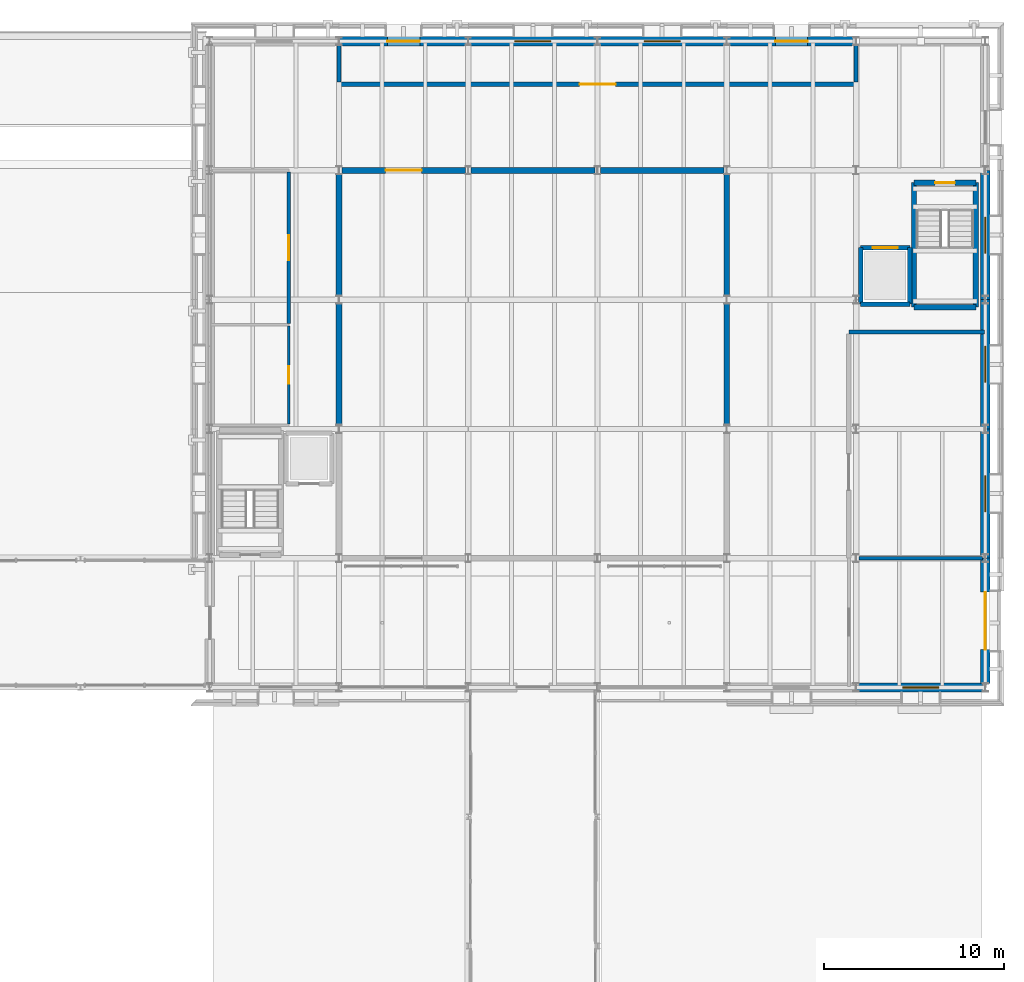
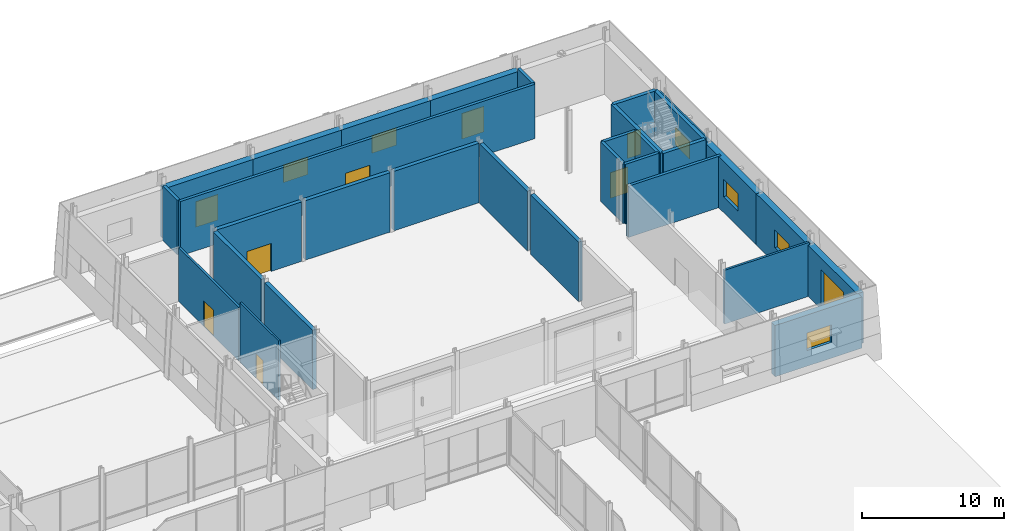
# One storey, part 81 of 120: 31 walls, 9 doors, 6 windows, 15 openings.
"""IFC4 building model written with IfcOpenShell, lengths in metres."""

from ifc_helpers import new_model, si_unit, direction, frame, frame_2d, origin, place, context, subcontext, project, spatial, rectangle, extrude, material, layer, layer_set, type_object, element, fill, save


model = new_model("IFC4")

# Units and contexts
model_context = context("Model", 3, precision=1e-05, world=origin(), true_north=direction((0.0, 1.0)))
body_context = subcontext(model_context, "Body", "Model", "MODEL_VIEW")
ifc_project = project(units=[si_unit("LENGTHUNIT", "METRE"), si_unit("AREAUNIT", "SQUARE_METRE"), si_unit("VOLUMEUNIT", "CUBIC_METRE"), si_unit("PLANEANGLEUNIT", "RADIAN"), si_unit("MASSUNIT", "GRAM", prefix="KILO")], contexts=[model_context])

# Site, building, storey
site_placement = place(None, origin())
site = spatial("IfcSite", under=ifc_project, at=site_placement, CompositionType="ELEMENT")
building_placement = place(site_placement, origin())
building = spatial("IfcBuilding", under=site, at=building_placement, Name="Narikvali Park Central Library", CompositionType="ELEMENT")
storey_placement = place(building_placement, origin())
storey = spatial("IfcBuildingStorey", under=building, at=storey_placement, Name="L00", CompositionType="ELEMENT", Elevation=0.0)

# Wall, opening, door
ifc_material_1 = material(Name="Double Masonry Acoustic Wall C30/37", Category="masonry")
ifc_layer_1 = layer(ifc_material_1, 0.320068359375, Name="Double Masonry Acoustic Wall C30/37")
ifc_layer_set_1 = layer_set([ifc_layer_1], Name="Double Masonry Acoustic Wall C30/37")
wall_type_1 = type_object("IfcWallType", Name="Auditorium Double Acoustic Wall 320", PredefinedType="SOLIDWALL", material=ifc_layer_set_1)
wall_1_placement = place(storey_placement, frame((129.75390625, 108.0, 0.0), z_axis=(0.0, 0.0, 1.0), x_axis=(1.0, 0.0, 0.0)))
wall_1 = element("IfcWall", 1, at=wall_1_placement, inside=storey, type_object=wall_type_1, Name="Main Auditorium Partition N", PredefinedType="SOLIDWALL", context=body_context, shape_type="SweptSolid", body=[
    extrude(rectangle(XDim=6.89208984375, YDim=0.320068359375, at=frame_2d((3.446044921875, 0.0))), origin(), (0.0, 0.0, 1.0), 5.10498046875),
])
opening_1_placement = place(wall_1_placement, frame((2.446044921875, 0.0, 0.0)))
opening_1 = element("IfcOpeningElement", 2, at=opening_1_placement, cuts=wall_1, Name="Opening ID-0066", PredefinedType="OPENING", context=body_context, shape_type="SweptSolid", body=[
    extrude(rectangle(XDim=2.0, YDim=2.39990234375, at=frame_2d((1.0, 1.199951171875))), frame((0.0, 0.171875, 0.0), z_axis=(0.0, -1.0, 0.0), x_axis=(1.0, 0.0, 0.0)), (0.0, 0.0, 1.0), 0.343994140625),
])
ifc_material_2 = material(Name="Acoustic Upholstered Solid Oak")
door_type_1 = type_object("IfcDoorType", Name="Auditorium Acoustic Double Lobby Door 2000x2400", OperationType="DOUBLE_DOOR_SINGLE_SWING", PredefinedType="DOOR", material=ifc_material_2)
door_1_placement = place(opening_1_placement, origin())
door_1 = element("IfcDoor", 3, at=door_1_placement, inside=storey, type_object=door_type_1, Name="Main Auditorium Door ID-0066", OperationType="DOUBLE_DOOR_SINGLE_SWING", OverallHeight=2.39990234375, OverallWidth=2.0, PredefinedType="DOOR", context=body_context, shape_type="SweptSolid", body=[
    extrude(rectangle(XDim=2.0, YDim=2.39990234375, at=frame_2d((1.0, 1.199951171875))), frame((0.0, 0.02490234375, 0.0), z_axis=(0.0, -1.0, 0.0), x_axis=(1.0, 0.0, 0.0)), (0.0, 0.0, 1.0), 0.050048828125),
])
fill(opening_1, door_1)

# Walls
for number, where, z_axis, x_axis, name in (
    (4, (136.9541015625, 108.0, 0.0), (0.0, 0.0, 1.0), (1.0, 0.0, 0.0), "Main Auditorium Partition N"),
    (5, (144.154052734375, 108.0, 0.0), (0.0, 0.0, 1.0), (1.0, 0.0, 0.0), "Main Auditorium Partition N"),
):
    element("IfcWall", number, at=place(storey_placement, frame(where, z_axis=z_axis, x_axis=x_axis)), inside=storey, type_object=wall_type_1, Name=name, PredefinedType="SOLIDWALL", context=body_context, shape_type="SweptSolid", body=[
        extrude(rectangle(XDim=6.891845703125, YDim=0.320068359375, at=frame_2d((3.44580078125, 0.0))), origin(), (0.0, 0.0, 1.0), 5.10498046875),
    ])
for number, where, z_axis, x_axis, name in (
    (6, (129.60009765625, 93.8291015625, 0.0), (0.0, 0.0, 1.0), (0.0, 1.0, 0.0), "Main Auditorium Partition W"),
    (7, (129.60009765625, 101.029052734375, 0.0), (0.0, 0.0, 1.0), (0.0, 1.0, 0.0), "Main Auditorium Partition W"),
    (8, (151.199951171875, 93.8291015625, 0.0), (0.0, 0.0, 1.0), (0.0, 1.0, 0.0), "Main Auditorium Partition E"),
    (9, (151.199951171875, 101.029052734375, 0.0), (0.0, 0.0, 1.0), (0.0, 1.0, 0.0), "Main Auditorium Partition E"),
):
    element("IfcWall", number, at=place(storey_placement, frame(where, z_axis=z_axis, x_axis=x_axis)), inside=storey, type_object=wall_type_1, Name=name, PredefinedType="SOLIDWALL", context=body_context, shape_type="SweptSolid", body=[
        extrude(rectangle(XDim=6.741943359375, YDim=0.320068359375, at=frame_2d((3.37109375, 0.0))), origin(), (0.0, 0.0, 1.0), 5.10498046875),
    ])

# Wall, opening, door
ifc_material_3 = material(Name="Autoclaved Concrete Blockwork C25/30", Category="masonry")
ifc_layer_2 = layer(ifc_material_3, 0.239990234375, Name="Autoclaved Concrete Blockwork C25/30")
ifc_layer_set_2 = layer_set([ifc_layer_2], Name="Autoclaved Concrete Blockwork C25/30")
wall_type_2 = type_object("IfcWallType", Name="Fire Compartment Concrete Block Wall 240", PredefinedType="SOLIDWALL", material=ifc_layer_set_2)
wall_2_placement = place(storey_placement, frame((129.60009765625, 112.800048828125, 0.0), z_axis=(0.0, 0.0, 1.0), x_axis=(1.0, 0.0, 0.0)))
wall_2 = element("IfcWall", 10, at=wall_2_placement, inside=storey, type_object=wall_type_2, Name="Speakers Green Room Alcove Partition S", PredefinedType="SOLIDWALL", context=body_context, shape_type="SweptSolid", body=[
    extrude(rectangle(XDim=28.7998046875, YDim=0.239990234375, at=frame_2d((14.39990234375, 0.0))), origin(), (0.0, 0.0, 1.0), 4.6650390625),
])
opening_2_placement = place(wall_2_placement, frame((13.39990234375, 0.0, 0.0)))
opening_2 = element("IfcOpeningElement", 11, at=opening_2_placement, cuts=wall_2, Name="Opening ID-0069", PredefinedType="OPENING", context=body_context, shape_type="SweptSolid", body=[
    extrude(rectangle(XDim=2.0, YDim=2.39990234375, at=frame_2d((1.0, 1.199951171875))), frame((0.0, 0.1318359375, 0.0), z_axis=(0.0, -1.0, 0.0), x_axis=(1.0, 0.0, 0.0)), (0.0, 0.0, 1.0), 0.263916015625),
])
door_2_placement = place(opening_2_placement, origin())
door_2 = element("IfcDoor", 12, at=door_2_placement, inside=storey, type_object=door_type_1, Name="Speakers Green Room Alcove Door ID-0069", OperationType="DOUBLE_DOOR_SINGLE_SWING", OverallHeight=2.39990234375, OverallWidth=2.0, PredefinedType="DOOR", context=body_context, shape_type="SweptSolid", body=[
    extrude(rectangle(XDim=2.0, YDim=2.39990234375, at=frame_2d((1.0, 1.199951171875))), frame((0.0, 0.02490234375, 0.0), z_axis=(0.0, -1.0, 0.0), x_axis=(1.0, 0.0, 0.0)), (0.0, 0.0, 1.0), 0.050048828125),
])
fill(opening_2, door_2)

# Walls
wall_3_placement = place(storey_placement, frame((158.0, 99.0, 0.0), z_axis=(0.0, 0.0, 1.0), x_axis=(1.0, 0.0, 0.0)))
element("IfcWall", 13, at=wall_3_placement, inside=storey, type_object=wall_type_2, Name="Auditorium Stage and Wing House Partition N", PredefinedType="SOLIDWALL", context=body_context, shape_type="SweptSolid", body=[
    extrude(rectangle(XDim=7.544921875, YDim=0.239990234375, at=frame_2d((3.7724609375, 0.0))), origin(), (0.0, 0.0, 1.0), 4.405029296875),
])
for number, where, z_axis, x_axis, name in (
    (14, (129.60009765625, 112.922119140625, 0.0), (0.0, 0.0, 1.0), (0.0, 1.0, 0.0), "Speakers Green Room Alcove Partition W"),
    (15, (158.39990234375, 112.922119140625, 0.0), (0.0, 0.0, 1.0), (0.0, 1.0, 0.0), "Speakers Green Room Alcove Partition E"),
):
    element("IfcWall", number, at=place(storey_placement, frame(where, z_axis=z_axis, x_axis=x_axis)), inside=storey, type_object=wall_type_2, Name=name, PredefinedType="SOLIDWALL", context=body_context, shape_type="SweptSolid", body=[
        extrude(rectangle(XDim=2.048828125, YDim=0.239990234375, at=frame_2d((1.0244140625, 0.0))), origin(), (0.0, 0.0, 1.0), 4.6650390625),
    ])

# Wall, opening, door
ifc_material_4 = material(Name="Moisture-Resistant Cement Board on Steel Studs", Category="steel")
ifc_layer_3 = layer(ifc_material_4, 0.14990234375, Name="Moisture-Resistant Cement Board on Steel Studs")
ifc_layer_set_3 = layer_set([ifc_layer_3], Name="Moisture-Resistant Cement Board on Steel Studs")
wall_type_3 = type_object("IfcWallType", Name="Moisture-Resistant WC Partition 150", PredefinedType="PARTITIONING", material=ifc_layer_set_3)
wall_4_placement = place(storey_placement, frame((126.800048828125, 93.876953125, 0.0), z_axis=(0.0, 0.0, 1.0), x_axis=(0.0, 1.0, 0.0)))
wall_4 = element("IfcWall", 16, at=wall_4_placement, inside=storey, type_object=wall_type_3, Name="Cloister Foyer Restrooms and Accessible WC L00 Partition E", PredefinedType="PARTITIONING", context=body_context, shape_type="SweptSolid", body=[
    extrude(rectangle(XDim=5.446044921875, YDim=0.14990234375, at=frame_2d((2.72314453125, 0.0))), origin(), (0.0, 0.0, 1.0), 5.10498046875),
])
opening_3_placement = place(wall_4_placement, frame((2.23291015625, 0.0, 0.0)))
opening_3 = element("IfcOpeningElement", 17, at=opening_3_placement, cuts=wall_4, Name="Opening ID-0009", PredefinedType="OPENING", context=body_context, shape_type="SweptSolid", body=[
    extrude(rectangle(XDim=0.97998046875, YDim=2.10009765625, at=frame_2d((0.489990234375, 1.050048828125))), frame((0.0, 0.0869140625, 0.0), z_axis=(0.0, -1.0, 0.0), x_axis=(1.0, 0.0, 0.0)), (0.0, 0.0, 1.0), 0.173828125),
])
ifc_material_5 = material(Name="Laminate Faced Hardwood Core", Category="wood")
door_type_2 = type_object("IfcDoorType", Name="Accessible WC Outward-Opening Door 980x2100", OperationType="SINGLE_SWING_RIGHT", PredefinedType="DOOR", material=ifc_material_5)
door_3_placement = place(opening_3_placement, frame((0.97998046875, 0.0, 0.0), z_axis=(0.0, 0.0, 1.0), x_axis=(-1.0, 0.0, 0.0)))
door_3 = element("IfcDoor", 18, at=door_3_placement, inside=storey, type_object=door_type_2, Name="Cloister Foyer Restrooms and Accessible WC L00 Door ID-0009", OperationType="SINGLE_SWING_LEFT", OverallHeight=2.10009765625, OverallWidth=0.97998046875, PredefinedType="DOOR", context=body_context, shape_type="SweptSolid", body=[
    extrude(rectangle(XDim=0.97998046875, YDim=2.10009765625, at=frame_2d((0.489990234375, 1.050048828125))), frame((0.0, 0.02490234375, 0.0), z_axis=(0.0, -1.0, 0.0), x_axis=(1.0, 0.0, 0.0)), (0.0, 0.0, 1.0), 0.050048828125),
])
fill(opening_3, door_3)

# Wall
ifc_material_6 = material(Name="Acoustic Gypsum on Steel Studs", Category="steel")
ifc_layer_4 = layer(ifc_material_6, 0.179931640625, Name="Acoustic Gypsum on Steel Studs")
ifc_layer_set_4 = layer_set([ifc_layer_4], Name="Acoustic Gypsum on Steel Studs")
wall_type_4 = type_object("IfcWallType", Name="Reading Room Acoustic Partition 180", PredefinedType="PARTITIONING", material=ifc_layer_set_4)
wall_5_placement = place(storey_placement, frame((158.553955078125, 86.39990234375, 0.0), z_axis=(0.0, 0.0, 1.0), x_axis=(1.0, 0.0, 0.0)))
element("IfcWall", 19, at=wall_5_placement, inside=storey, type_object=wall_type_4, Name="Book Delivery and Receiving Loading Bay Partition N", PredefinedType="PARTITIONING", context=body_context, shape_type="SweptSolid", body=[
    extrude(rectangle(XDim=6.89208984375, YDim=0.179931640625, at=frame_2d((3.446044921875, 0.0))), origin(), (0.0, 0.0, 1.0), 4.614990234375),
])

# Wall, opening, door
wall_6_placement = place(storey_placement, frame((126.800048828125, 99.47705078125, 0.0), z_axis=(0.0, 0.0, 1.0), x_axis=(0.0, 1.0, 0.0)))
wall_6 = element("IfcWall", 20, at=wall_6_placement, inside=storey, type_object=wall_type_4, Name="Auditorium Cloakroom and Box Office Partition E", PredefinedType="PARTITIONING", context=body_context, shape_type="SweptSolid", body=[
    extrude(rectangle(XDim=8.430908203125, YDim=0.179931640625, at=frame_2d((4.21533203125, 0.0))), origin(), (0.0, 0.0, 1.0), 4.614990234375),
])
opening_4_placement = place(wall_6_placement, frame((3.515380859375, 0.0, 0.0)))
opening_4 = element("IfcOpeningElement", 21, at=opening_4_placement, cuts=wall_6, Name="Opening ID-0067", PredefinedType="OPENING", context=body_context, shape_type="SweptSolid", body=[
    extrude(rectangle(XDim=1.39990234375, YDim=2.199951171875, at=frame_2d((0.699951171875, 1.10009765625))), frame((0.0, 0.10205078125, 0.0), z_axis=(0.0, -1.0, 0.0), x_axis=(1.0, 0.0, 0.0)), (0.0, 0.0, 1.0), 0.203857421875),
])
ifc_material_7 = material(Name="Caucasian Oak and Acoustic Glass", Category="glass")
door_type_3 = type_object("IfcDoorType", Name="Community Room Glazed Oak Door 1400x2200", OperationType="DOUBLE_DOOR_SINGLE_SWING", PredefinedType="DOOR", material=ifc_material_7)
door_4_placement = place(opening_4_placement, origin())
door_4 = element("IfcDoor", 22, at=door_4_placement, inside=storey, type_object=door_type_3, Name="Auditorium Cloakroom and Box Office Door ID-0067", OperationType="DOUBLE_DOOR_SINGLE_SWING", OverallHeight=2.199951171875, OverallWidth=1.39990234375, PredefinedType="DOOR", context=body_context, shape_type="SweptSolid", body=[
    extrude(rectangle(XDim=1.39990234375, YDim=2.199951171875, at=frame_2d((0.699951171875, 1.10009765625))), frame((0.0, 0.02490234375, 0.0), z_axis=(0.0, -1.0, 0.0), x_axis=(1.0, 0.0, 0.0)), (0.0, 0.0, 1.0), 0.050048828125),
])
fill(opening_4, door_4)

# Walls
ifc_material_8 = material(Name="Concrete C40/50", Category="concrete")
ifc_layer_5 = layer(ifc_material_8, 0.25, Name="Concrete C40/50")
ifc_layer_set_5 = layer_set([ifc_layer_5], Name="Concrete C40/50")
wall_type_5 = type_object("IfcWallType", Name="Reinforced Concrete Lift Shaft Wall 250", PredefinedType="SHEAR", material=ifc_layer_set_5)
wall_7_placement = place(storey_placement, frame((158.64990234375, 100.550048828125, 0.0), z_axis=(0.0, 0.0, 1.0), x_axis=(1.0, 0.0, 0.0)))
element("IfcWall", 23, at=wall_7_placement, inside=storey, type_object=wall_type_5, Name="GL-01 L00 Lift Shaft Wall S", PredefinedType="SHEAR", context=body_context, shape_type="SweptSolid", body=[
    extrude(rectangle(XDim=2.75, YDim=0.25, at=frame_2d((1.375, 0.0))), origin(), (0.0, 0.0, 1.0), 5.1201171875),
])
wall_8_placement = place(storey_placement, frame((161.39990234375, 100.550048828125, 0.0), z_axis=(0.0, 0.0, 1.0), x_axis=(0.0, 1.0, 0.0)))
element("IfcWall", 24, at=wall_8_placement, inside=storey, type_object=wall_type_5, Name="GL-01 L00 Lift Shaft Wall E", PredefinedType="SHEAR", context=body_context, shape_type="SweptSolid", body=[
    extrude(rectangle(XDim=3.14990234375, YDim=0.25, at=frame_2d((1.574951171875, 0.0))), origin(), (0.0, 0.0, 1.0), 5.1201171875),
])

# Wall, opening, door
wall_9_placement = place(storey_placement, frame((161.39990234375, 103.699951171875, 0.0), z_axis=(0.0, 0.0, 1.0), x_axis=(-1.0, 0.0, 0.0)))
wall_9 = element("IfcWall", 25, at=wall_9_placement, inside=storey, type_object=wall_type_5, Name="GL-01 L00 Lift Shaft Wall N", PredefinedType="SHEAR", context=body_context, shape_type="SweptSolid", body=[
    extrude(rectangle(XDim=2.75, YDim=0.25, at=frame_2d((1.375, 0.0))), origin(), (0.0, 0.0, 1.0), 5.1201171875),
])
opening_5_placement = place(wall_9_placement, frame((0.675048828125, 0.0, 0.0)))
opening_5 = element("IfcOpeningElement", 26, at=opening_5_placement, cuts=wall_9, Name="Opening LD-019", PredefinedType="OPENING", context=body_context, shape_type="SweptSolid", body=[
    extrude(rectangle(XDim=1.39990234375, YDim=2.199951171875, at=frame_2d((0.699951171875, 1.10009765625))), frame((0.0, 0.136962890625, 0.0), z_axis=(0.0, -1.0, 0.0), x_axis=(1.0, 0.0, 0.0)), (0.0, 0.0, 1.0), 0.27392578125),
])
ifc_material_9 = material(Name="Brushed Stainless Steel S355", Category="steel")
door_type_4 = type_object("IfcDoorType", Name="Book Goods Lift Sliding Landing Door 1400x2200", OperationType="DOUBLE_DOOR_SLIDING", PredefinedType="DOOR", material=ifc_material_9)
door_5_placement = place(opening_5_placement, origin())
door_5 = element("IfcDoor", 27, at=door_5_placement, inside=storey, type_object=door_type_4, Name="GL-01 L00 Lift Landing Sliding Door LD-019", OperationType="DOUBLE_DOOR_SLIDING", OverallHeight=2.199951171875, OverallWidth=1.39990234375, PredefinedType="DOOR", context=body_context, shape_type="SweptSolid", body=[
    extrude(rectangle(XDim=1.39990234375, YDim=2.199951171875, at=frame_2d((0.699951171875, 1.10009765625))), frame((0.0, 0.02490234375, 0.0), z_axis=(0.0, -1.0, 0.0), x_axis=(1.0, 0.0, 0.0)), (0.0, 0.0, 1.0), 0.050048828125),
])
fill(opening_5, door_5)

# Walls
wall_10_placement = place(storey_placement, frame((158.64990234375, 103.699951171875, 0.0), z_axis=(0.0, 0.0, 1.0), x_axis=(0.0, -1.0, 0.0)))
element("IfcWall", 28, at=wall_10_placement, inside=storey, type_object=wall_type_5, Name="GL-01 L00 Lift Shaft Wall W", PredefinedType="SHEAR", context=body_context, shape_type="SweptSolid", body=[
    extrude(rectangle(XDim=3.14990234375, YDim=0.25, at=frame_2d((1.574951171875, 0.0))), origin(), (0.0, 0.0, 1.0), 5.1201171875),
])
ifc_layer_6 = layer(ifc_material_8, 0.300048828125, Name="Concrete C40/50")
ifc_layer_set_6 = layer_set([ifc_layer_6], Name="Concrete C40/50")
wall_type_6 = type_object("IfcWallType", Name="Reinforced Concrete Shear Wall 300", PredefinedType="SHEAR", material=ifc_layer_set_6)
wall_11_placement = place(storey_placement, frame((161.6298828125, 100.3798828125, 0.0), z_axis=(0.0, 0.0, 1.0), x_axis=(1.0, 0.0, 0.0)))
element("IfcWall", 29, at=wall_11_placement, inside=storey, type_object=wall_type_6, Name="C3B L00 Stair Core Shear Wall S", PredefinedType="SHEAR", context=body_context, shape_type="SweptSolid", body=[
    extrude(rectangle(XDim=3.440185546875, YDim=0.300048828125, at=frame_2d((1.72021484375, 0.0))), origin(), (0.0, 0.0, 1.0), 5.1201171875),
])
wall_12_placement = place(storey_placement, frame((165.070068359375, 100.3798828125, 0.0), z_axis=(0.0, 0.0, 1.0), x_axis=(0.0, 1.0, 0.0)))
element("IfcWall", 30, at=wall_12_placement, inside=storey, type_object=wall_type_6, Name="C3B L00 Stair Core Shear Wall E", PredefinedType="SHEAR", context=body_context, shape_type="SweptSolid", body=[
    extrude(rectangle(XDim=6.940185546875, YDim=0.300048828125, at=frame_2d((3.47021484375, 0.0))), origin(), (0.0, 0.0, 1.0), 5.1201171875),
])

# Wall, opening, door
wall_13_placement = place(storey_placement, frame((165.070068359375, 107.320068359375, 0.0), z_axis=(0.0, 0.0, 1.0), x_axis=(-1.0, 0.0, 0.0)))
wall_13 = element("IfcWall", 31, at=wall_13_placement, inside=storey, type_object=wall_type_6, Name="C3B L00 Stair Core Shear Wall N", PredefinedType="SHEAR", context=body_context, shape_type="SweptSolid", body=[
    extrude(rectangle(XDim=3.440185546875, YDim=0.300048828125, at=frame_2d((1.72021484375, 0.0))), origin(), (0.0, 0.0, 1.0), 5.1201171875),
])
opening_6_placement = place(wall_13_placement, frame((1.169921875, 0.0, 0.0)))
opening_6 = element("IfcOpeningElement", 32, at=opening_6_placement, cuts=wall_13, Name="Opening SD-021", PredefinedType="OPENING", context=body_context, shape_type="SweptSolid", body=[
    extrude(rectangle(XDim=1.10009765625, YDim=2.14990234375, at=frame_2d((0.550048828125, 1.074951171875))), frame((0.0, 0.162109375, 0.0), z_axis=(0.0, -1.0, 0.0), x_axis=(1.0, 0.0, 0.0)), (0.0, 0.0, 1.0), 0.323974609375),
])
ifc_material_10 = material(Name="Powder-Coated Steel S275 Fire Leaf", Category="steel")
door_type_5 = type_object("IfcDoorType", Name="Stair Core Smoke-Control Fire Door 1100x2150", OperationType="SINGLE_SWING_LEFT", PredefinedType="DOOR", material=ifc_material_10)
door_6_placement = place(opening_6_placement, frame((1.10009765625, 0.0, 0.0), z_axis=(0.0, 0.0, 1.0), x_axis=(-1.0, 0.0, 0.0)))
door_6 = element("IfcDoor", 33, at=door_6_placement, inside=storey, type_object=door_type_5, Name="ST-06 L00 Stair Exit Door SD-021", OperationType="SINGLE_SWING_LEFT", OverallHeight=2.14990234375, OverallWidth=1.10009765625, PredefinedType="DOOR", context=body_context, shape_type="SweptSolid", body=[
    extrude(rectangle(XDim=1.10009765625, YDim=2.14990234375, at=frame_2d((0.550048828125, 1.074951171875))), frame((0.0, 0.02490234375, 0.0), z_axis=(0.0, -1.0, 0.0), x_axis=(1.0, 0.0, 0.0)), (0.0, 0.0, 1.0), 0.050048828125),
])
fill(opening_6, door_6)

# Wall
wall_14_placement = place(storey_placement, frame((161.6298828125, 107.320068359375, 0.0), z_axis=(0.0, 0.0, 1.0), x_axis=(0.0, -1.0, 0.0)))
element("IfcWall", 34, at=wall_14_placement, inside=storey, type_object=wall_type_6, Name="C3B L00 Stair Core Shear Wall W", PredefinedType="SHEAR", context=body_context, shape_type="SweptSolid", body=[
    extrude(rectangle(XDim=6.940185546875, YDim=0.300048828125, at=frame_2d((3.47021484375, 0.0))), origin(), (0.0, 0.0, 1.0), 5.1201171875),
])

# Wall, opening, window
ifc_material_11 = material(Name="White Rusticated Limestone over Concrete C35/45", Category="masonry")
ifc_layer_7 = layer(ifc_material_11, 0.52001953125, Name="White Rusticated Limestone over Concrete C35/45")
ifc_layer_set_7 = layer_set([ifc_layer_7], Name="White Rusticated Limestone over Concrete C35/45")
wall_type_7 = type_object("IfcWallType", Name="White Limestone Ashlar Plinth Wall 520", PredefinedType="SOLIDWALL", material=ifc_layer_set_7)
wall_15_placement = place(storey_placement, frame((158.39990234375, 79.199951171875, 0.0), z_axis=(0.0, 0.0, 1.0), x_axis=(1.0, 0.0, 0.0)))
wall_15 = element("IfcWall", 35, at=wall_15_placement, inside=storey, type_object=wall_type_7, Name="V3 L00 S Exterior Limestone Wall B06", PredefinedType="SOLIDWALL", context=body_context, shape_type="SweptSolid", body=[
    extrude(rectangle(XDim=7.046142578125, YDim=0.52001953125, at=frame_2d((3.52294921875, 0.0))), origin(), (0.0, 0.0, 1.0), 4.39990234375),
])
opening_7_placement = place(wall_15_placement, frame((2.60009765625, 0.0, 1.35009765625)))
opening_7 = element("IfcOpeningElement", 36, at=opening_7_placement, cuts=wall_15, Name="Opening WIN-0077", PredefinedType="OPENING", context=body_context, shape_type="SweptSolid", body=[
    extrude(rectangle(XDim=2.0, YDim=1.5, at=frame_2d((1.0, 0.75))), frame((0.0, 0.27197265625, 0.0), z_axis=(0.0, -1.0, 0.0), x_axis=(1.0, 0.0, 0.0)), (0.0, 0.0, 1.0), 0.5439453125),
])
ifc_material_12 = material(Name="Anodised Bronze Aluminium and Low-E Triple Glazing", Category="aluminium")
window_type = type_object("IfcWindowType", Name="Auditorium Acoustic Clerestory Window 2000x1500", PartitioningType="DOUBLE_PANEL_HORIZONTAL", PredefinedType="WINDOW", material=ifc_material_12)
window_1_placement = place(opening_7_placement, origin())
window_1 = element("IfcWindow", 37, at=window_1_placement, inside=storey, type_object=window_type, Name="V3 L00 S Deep-Reveal Window WIN-0077", OverallHeight=1.5, OverallWidth=2.0, PartitioningType="SINGLE_PANEL", PredefinedType="WINDOW", context=body_context, shape_type="SweptSolid", body=[
    extrude(rectangle(XDim=2.0, YDim=1.5, at=frame_2d((1.0, 0.75))), frame((0.0, 0.030029296875, 0.0), z_axis=(0.0, -1.0, 0.0), x_axis=(1.0, 0.0, 0.0)), (0.0, 0.0, 1.0), 0.06005859375),
])
fill(opening_7, window_1)

# Wall, opening, door
wall_16_placement = place(storey_placement, frame((165.60009765625, 79.428955078125, 0.0), z_axis=(0.0, 0.0, 1.0), x_axis=(0.0, 1.0, 0.0)))
wall_16 = element("IfcWall", 38, at=wall_16_placement, inside=storey, type_object=wall_type_7, Name="V3 L00 E Exterior Limestone Wall B01", PredefinedType="SOLIDWALL", context=body_context, shape_type="SweptSolid", body=[
    extrude(rectangle(XDim=6.970947265625, YDim=0.52001953125, at=frame_2d((3.4853515625, 0.0))), origin(), (0.0, 0.0, 1.0), 4.39990234375),
])
opening_8_placement = place(wall_16_placement, frame((1.885498046875, 0.0, 0.0)))
opening_8 = element("IfcOpeningElement", 39, at=opening_8_placement, cuts=wall_16, Name="Opening GD-020", PredefinedType="OPENING", context=body_context, shape_type="SweptSolid", body=[
    extrude(rectangle(XDim=3.199951171875, YDim=3.39990234375, at=frame_2d((1.60009765625, 1.699951171875))), frame((0.0, 0.27197265625, 0.0), z_axis=(0.0, -1.0, 0.0), x_axis=(1.0, 0.0, 0.0)), (0.0, 0.0, 1.0), 0.5439453125),
])
ifc_material_13 = material(Name="Insulated Powder-Coated Steel S275", Category="steel")
door_type_6 = type_object("IfcDoorType", Name="Loading Bay Insulated Roller Shutter Gate 3200x3400", OperationType="ROLLINGUP", PredefinedType="GATE", material=ifc_material_13)
door_7_placement = place(opening_8_placement, origin())
door_7 = element("IfcDoor", 40, at=door_7_placement, inside=storey, type_object=door_type_6, Name="Book Receiving Loading Shutter GD-020", OperationType="ROLLINGUP", OverallHeight=3.39990234375, OverallWidth=3.199951171875, PredefinedType="GATE", context=body_context, shape_type="SweptSolid", body=[
    extrude(rectangle(XDim=3.199951171875, YDim=3.39990234375, at=frame_2d((1.60009765625, 1.699951171875))), frame((0.0, 0.02490234375, 0.0), z_axis=(0.0, -1.0, 0.0), x_axis=(1.0, 0.0, 0.0)), (0.0, 0.0, 1.0), 0.050048828125),
])
fill(opening_8, door_7)

# Wall, opening, window
wall_17_placement = place(storey_placement, frame((165.60009765625, 86.39990234375, 0.0), z_axis=(0.0, 0.0, 1.0), x_axis=(0.0, 1.0, 0.0)))
wall_17 = element("IfcWall", 41, at=wall_17_placement, inside=storey, type_object=wall_type_7, Name="V3 L00 E Exterior Limestone Wall B02", PredefinedType="SOLIDWALL", context=body_context, shape_type="SweptSolid", body=[
    extrude(rectangle(XDim=7.2001953125, YDim=0.52001953125, at=frame_2d((3.60009765625, 0.0))), origin(), (0.0, 0.0, 1.0), 4.39990234375),
])
opening_9_placement = place(wall_17_placement, frame((2.60009765625, 0.0, 1.35009765625)))
opening_9 = element("IfcOpeningElement", 42, at=opening_9_placement, cuts=wall_17, Name="Opening WIN-0078", PredefinedType="OPENING", context=body_context, shape_type="SweptSolid", body=[
    extrude(rectangle(XDim=2.0, YDim=1.5, at=frame_2d((1.0, 0.75))), frame((0.0, 0.27197265625, 0.0), z_axis=(0.0, -1.0, 0.0), x_axis=(1.0, 0.0, 0.0)), (0.0, 0.0, 1.0), 0.5439453125),
])
window_2_placement = place(opening_9_placement, origin())
window_2 = element("IfcWindow", 43, at=window_2_placement, inside=storey, type_object=window_type, Name="V3 L00 E Deep-Reveal Window WIN-0078", OverallHeight=1.5, OverallWidth=2.0, PartitioningType="SINGLE_PANEL", PredefinedType="WINDOW", context=body_context, shape_type="SweptSolid", body=[
    extrude(rectangle(XDim=2.0, YDim=1.5, at=frame_2d((1.0, 0.75))), frame((0.0, 0.030029296875, 0.0), z_axis=(0.0, -1.0, 0.0), x_axis=(1.0, 0.0, 0.0)), (0.0, 0.0, 1.0), 0.06005859375),
])
fill(opening_9, window_2)

wall_18_placement = place(storey_placement, frame((165.60009765625, 93.60009765625, 0.0), z_axis=(0.0, 0.0, 1.0), x_axis=(0.0, 1.0, 0.0)))
wall_18 = element("IfcWall", 44, at=wall_18_placement, inside=storey, type_object=wall_type_7, Name="V3 L00 E Exterior Limestone Wall B03", PredefinedType="SOLIDWALL", context=body_context, shape_type="SweptSolid", body=[
    extrude(rectangle(XDim=7.199951171875, YDim=0.52001953125, at=frame_2d((3.60009765625, 0.0))), origin(), (0.0, 0.0, 1.0), 4.39990234375),
])
opening_10_placement = place(wall_18_placement, frame((2.60009765625, 0.0, 1.35009765625)))
opening_10 = element("IfcOpeningElement", 45, at=opening_10_placement, cuts=wall_18, Name="Opening WIN-0079", PredefinedType="OPENING", context=body_context, shape_type="SweptSolid", body=[
    extrude(rectangle(XDim=2.0, YDim=1.5, at=frame_2d((1.0, 0.75))), frame((0.0, 0.27197265625, 0.0), z_axis=(0.0, -1.0, 0.0), x_axis=(1.0, 0.0, 0.0)), (0.0, 0.0, 1.0), 0.5439453125),
])
window_3_placement = place(opening_10_placement, origin())
window_3 = element("IfcWindow", 46, at=window_3_placement, inside=storey, type_object=window_type, Name="V3 L00 E Deep-Reveal Window WIN-0079", OverallHeight=1.5, OverallWidth=2.0, PartitioningType="SINGLE_PANEL", PredefinedType="WINDOW", context=body_context, shape_type="SweptSolid", body=[
    extrude(rectangle(XDim=2.0, YDim=1.5, at=frame_2d((1.0, 0.75))), frame((0.0, 0.030029296875, 0.0), z_axis=(0.0, -1.0, 0.0), x_axis=(1.0, 0.0, 0.0)), (0.0, 0.0, 1.0), 0.06005859375),
])
fill(opening_10, window_3)

wall_19_placement = place(storey_placement, frame((165.60009765625, 100.800048828125, 0.0), z_axis=(0.0, 0.0, 1.0), x_axis=(0.0, 1.0, 0.0)))
wall_19 = element("IfcWall", 47, at=wall_19_placement, inside=storey, type_object=wall_type_7, Name="V3 L00 E Exterior Limestone Wall B04", PredefinedType="SOLIDWALL", context=body_context, shape_type="SweptSolid", body=[
    extrude(rectangle(XDim=7.199951171875, YDim=0.52001953125, at=frame_2d((3.60009765625, 0.0))), origin(), (0.0, 0.0, 1.0), 4.39990234375),
])
opening_11_placement = place(wall_19_placement, frame((2.60009765625, 0.0, 1.35009765625)))
opening_11 = element("IfcOpeningElement", 48, at=opening_11_placement, cuts=wall_19, Name="Opening WIN-0080", PredefinedType="OPENING", context=body_context, shape_type="SweptSolid", body=[
    extrude(rectangle(XDim=2.0, YDim=1.5, at=frame_2d((1.0, 0.75))), frame((0.0, 0.27197265625, 0.0), z_axis=(0.0, -1.0, 0.0), x_axis=(1.0, 0.0, 0.0)), (0.0, 0.0, 1.0), 0.5439453125),
])
window_4_placement = place(opening_11_placement, origin())
window_4 = element("IfcWindow", 49, at=window_4_placement, inside=storey, type_object=window_type, Name="V3 L00 E Deep-Reveal Window WIN-0080", OverallHeight=1.5, OverallWidth=2.0, PartitioningType="SINGLE_PANEL", PredefinedType="WINDOW", context=body_context, shape_type="SweptSolid", body=[
    extrude(rectangle(XDim=2.0, YDim=1.5, at=frame_2d((1.0, 0.75))), frame((0.0, 0.030029296875, 0.0), z_axis=(0.0, -1.0, 0.0), x_axis=(1.0, 0.0, 0.0)), (0.0, 0.0, 1.0), 0.06005859375),
])
fill(opening_11, window_4)

# Wall, opening, door
wall_20_placement = place(storey_placement, frame((158.39990234375, 115.199951171875, 0.0), z_axis=(0.0, 0.0, 1.0), x_axis=(-1.0, 0.0, 0.0)))
wall_20 = element("IfcWall", 50, at=wall_20_placement, inside=storey, type_object=wall_type_7, Name="V3 L00 N Exterior Limestone Wall B02", PredefinedType="SOLIDWALL", context=body_context, shape_type="SweptSolid", body=[
    extrude(rectangle(XDim=7.199951171875, YDim=0.52001953125, at=frame_2d((3.60009765625, 0.0))), origin(), (0.0, 0.0, 1.0), 4.39990234375),
])
opening_12_placement = place(wall_20_placement, frame((2.699951171875, 0.0, 0.0)))
opening_12 = element("IfcOpeningElement", 51, at=opening_12_placement, cuts=wall_20, Name="Opening ED-022", PredefinedType="OPENING", context=body_context, shape_type="SweptSolid", body=[
    extrude(rectangle(XDim=1.800048828125, YDim=2.199951171875, at=frame_2d((0.89990234375, 1.10009765625))), frame((0.0, 0.27197265625, 0.0), z_axis=(0.0, -1.0, 0.0), x_axis=(1.0, 0.0, 0.0)), (0.0, 0.0, 1.0), 0.5439453125),
])
ifc_material_14 = material(Name="Powder-Coated Galvanised Steel S275", Category="steel")
door_type_7 = type_object("IfcDoorType", Name="Exterior Final Exit Double Fire Door 1800x2200", OperationType="DOUBLE_DOOR_SINGLE_SWING", PredefinedType="DOOR", material=ifc_material_14)
door_8_placement = place(opening_12_placement, frame((1.800048828125, 0.0, 0.0), z_axis=(0.0, 0.0, 1.0), x_axis=(-1.0, 0.0, 0.0)))
door_8 = element("IfcDoor", 52, at=door_8_placement, inside=storey, type_object=door_type_7, Name="V3 Ground Final Exit Discharge Door ED-022", OperationType="DOUBLE_DOOR_SINGLE_SWING", OverallHeight=2.199951171875, OverallWidth=1.800048828125, PredefinedType="DOOR", context=body_context, shape_type="SweptSolid", body=[
    extrude(rectangle(XDim=1.800048828125, YDim=2.199951171875, at=frame_2d((0.89990234375, 1.10009765625))), frame((0.0, 0.02490234375, 0.0), z_axis=(0.0, -1.0, 0.0), x_axis=(1.0, 0.0, 0.0)), (0.0, 0.0, 1.0), 0.050048828125),
])
fill(opening_12, door_8)

# Wall, opening, window
wall_21_placement = place(storey_placement, frame((151.199951171875, 115.199951171875, 0.0), z_axis=(0.0, 0.0, 1.0), x_axis=(-1.0, 0.0, 0.0)))
wall_21 = element("IfcWall", 53, at=wall_21_placement, inside=storey, type_object=wall_type_7, Name="V3 L00 N Exterior Limestone Wall B03", PredefinedType="SOLIDWALL", context=body_context, shape_type="SweptSolid", body=[
    extrude(rectangle(XDim=7.199951171875, YDim=0.52001953125, at=frame_2d((3.60009765625, 0.0))), origin(), (0.0, 0.0, 1.0), 4.39990234375),
])
opening_13_placement = place(wall_21_placement, frame((2.60009765625, 0.0, 1.35009765625)))
opening_13 = element("IfcOpeningElement", 54, at=opening_13_placement, cuts=wall_21, Name="Opening WIN-0081", PredefinedType="OPENING", context=body_context, shape_type="SweptSolid", body=[
    extrude(rectangle(XDim=2.0, YDim=1.5, at=frame_2d((1.0, 0.75))), frame((0.0, 0.27197265625, 0.0), z_axis=(0.0, -1.0, 0.0), x_axis=(1.0, 0.0, 0.0)), (0.0, 0.0, 1.0), 0.5439453125),
])
window_5_placement = place(opening_13_placement, origin())
window_5 = element("IfcWindow", 55, at=window_5_placement, inside=storey, type_object=window_type, Name="V3 L00 N Deep-Reveal Window WIN-0081", OverallHeight=1.5, OverallWidth=2.0, PartitioningType="SINGLE_PANEL", PredefinedType="WINDOW", context=body_context, shape_type="SweptSolid", body=[
    extrude(rectangle(XDim=2.0, YDim=1.5, at=frame_2d((1.0, 0.75))), frame((0.0, 0.030029296875, 0.0), z_axis=(0.0, -1.0, 0.0), x_axis=(1.0, 0.0, 0.0)), (0.0, 0.0, 1.0), 0.06005859375),
])
fill(opening_13, window_5)

wall_22_placement = place(storey_placement, frame((144.0, 115.199951171875, 0.0), z_axis=(0.0, 0.0, 1.0), x_axis=(-1.0, 0.0, 0.0)))
wall_22 = element("IfcWall", 56, at=wall_22_placement, inside=storey, type_object=wall_type_7, Name="V3 L00 N Exterior Limestone Wall B04", PredefinedType="SOLIDWALL", context=body_context, shape_type="SweptSolid", body=[
    extrude(rectangle(XDim=7.199951171875, YDim=0.52001953125, at=frame_2d((3.60009765625, 0.0))), origin(), (0.0, 0.0, 1.0), 4.39990234375),
])
opening_14_placement = place(wall_22_placement, frame((2.60009765625, 0.0, 1.35009765625)))
opening_14 = element("IfcOpeningElement", 57, at=opening_14_placement, cuts=wall_22, Name="Opening WIN-0082", PredefinedType="OPENING", context=body_context, shape_type="SweptSolid", body=[
    extrude(rectangle(XDim=2.0, YDim=1.5, at=frame_2d((1.0, 0.75))), frame((0.0, 0.27197265625, 0.0), z_axis=(0.0, -1.0, 0.0), x_axis=(1.0, 0.0, 0.0)), (0.0, 0.0, 1.0), 0.5439453125),
])
window_6_placement = place(opening_14_placement, origin())
window_6 = element("IfcWindow", 58, at=window_6_placement, inside=storey, type_object=window_type, Name="V3 L00 N Deep-Reveal Window WIN-0082", OverallHeight=1.5, OverallWidth=2.0, PartitioningType="SINGLE_PANEL", PredefinedType="WINDOW", context=body_context, shape_type="SweptSolid", body=[
    extrude(rectangle(XDim=2.0, YDim=1.5, at=frame_2d((1.0, 0.75))), frame((0.0, 0.030029296875, 0.0), z_axis=(0.0, -1.0, 0.0), x_axis=(1.0, 0.0, 0.0)), (0.0, 0.0, 1.0), 0.06005859375),
])
fill(opening_14, window_6)

# Wall, opening, door
wall_23_placement = place(storey_placement, frame((136.800048828125, 115.199951171875, 0.0), z_axis=(0.0, 0.0, 1.0), x_axis=(-1.0, 0.0, 0.0)))
wall_23 = element("IfcWall", 59, at=wall_23_placement, inside=storey, type_object=wall_type_7, Name="V3 L00 N Exterior Limestone Wall B05", PredefinedType="SOLIDWALL", context=body_context, shape_type="SweptSolid", body=[
    extrude(rectangle(XDim=7.199951171875, YDim=0.52001953125, at=frame_2d((3.60009765625, 0.0))), origin(), (0.0, 0.0, 1.0), 4.39990234375),
])
opening_15_placement = place(wall_23_placement, frame((2.699951171875, 0.0, 0.0)))
opening_15 = element("IfcOpeningElement", 60, at=opening_15_placement, cuts=wall_23, Name="Opening ED-023", PredefinedType="OPENING", context=body_context, shape_type="SweptSolid", body=[
    extrude(rectangle(XDim=1.800048828125, YDim=2.199951171875, at=frame_2d((0.89990234375, 1.10009765625))), frame((0.0, 0.27197265625, 0.0), z_axis=(0.0, -1.0, 0.0), x_axis=(1.0, 0.0, 0.0)), (0.0, 0.0, 1.0), 0.5439453125),
])
door_9_placement = place(opening_15_placement, frame((1.800048828125, 0.0, 0.0), z_axis=(0.0, 0.0, 1.0), x_axis=(-1.0, 0.0, 0.0)))
door_9 = element("IfcDoor", 61, at=door_9_placement, inside=storey, type_object=door_type_7, Name="V3 Ground Final Exit Discharge Door ED-023", OperationType="DOUBLE_DOOR_SINGLE_SWING", OverallHeight=2.199951171875, OverallWidth=1.800048828125, PredefinedType="DOOR", context=body_context, shape_type="SweptSolid", body=[
    extrude(rectangle(XDim=1.800048828125, YDim=2.199951171875, at=frame_2d((0.89990234375, 1.10009765625))), frame((0.0, 0.02490234375, 0.0), z_axis=(0.0, -1.0, 0.0), x_axis=(1.0, 0.0, 0.0)), (0.0, 0.0, 1.0), 0.050048828125),
])
fill(opening_15, door_9)

save(model, "model.ifc")
